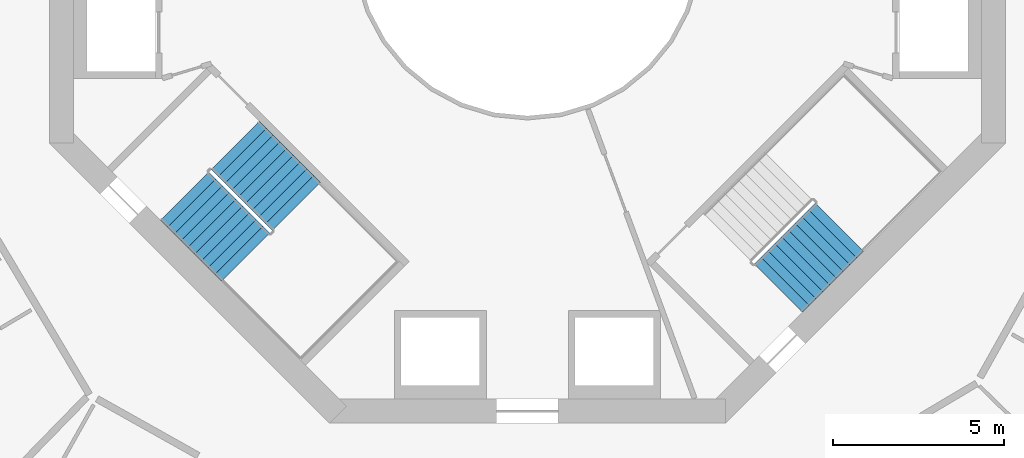
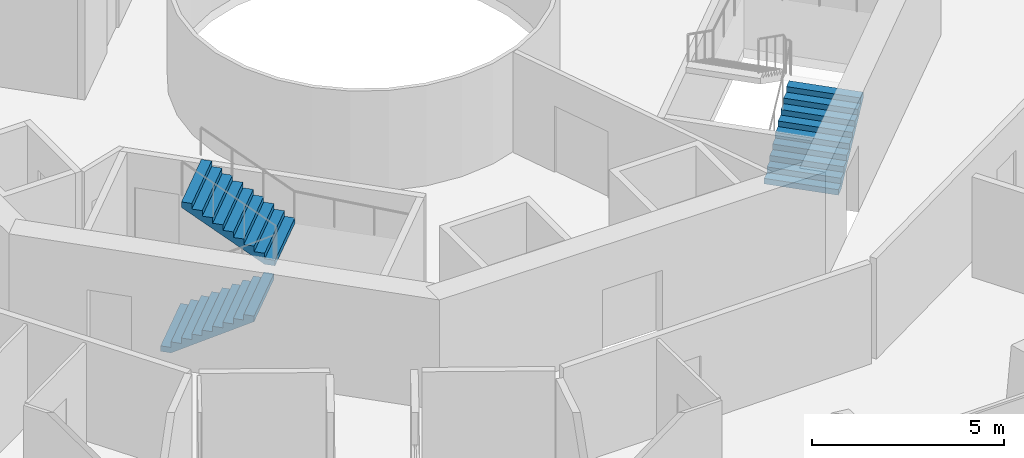
# One storey, part 19 of 21: 3 stair flights, 2 elements without a shape of their own.
"""IFC4 building model written with IfcOpenShell, lengths in metres."""

import ifcopenshell
import ifcopenshell.guid

model = None  # the IFC model being written
_history = None  # IfcOwnerHistory: only IFC2X3 demands one
_inside = {}  # id of a spatial element -> (the spatial element, [elements in it])
_under = {}  # id of a project, library or spatial element -> (it, [spatial elements below it])
_declared = {}  # id of a project -> (the project, [libraries it declares])
_typed = {}  # id of a type object -> (the type object, [elements of that type])
_made_of = {}  # id of a material, layer set ... -> (it, [elements and type objects made of it])


def new_model(schema):
    """Start an empty IFC model of exactly this schema.

    Asked for "IFC4X3", IfcOpenShell would pick the latest addendum, in which some entities
    have other attributes; the version numbers below select the first issue.
    IFC2X3 requires an IfcOwnerHistory on every rooted entity: one is made here for all.
    """
    global model, _history
    if schema == "IFC4X3":
        model = ifcopenshell.file(schema_version=(4, 3, 0, 0))
    else:
        model = ifcopenshell.file(schema=schema)
    _inside.clear()
    _under.clear()
    _declared.clear()
    _typed.clear()
    _made_of.clear()
    _history = None
    if model.schema == "IFC2X3":
        org = make("IfcOrganization", Name="unknown")
        user = make(
            "IfcPersonAndOrganization",
            ThePerson=make("IfcPerson", FamilyName="unknown"),
            TheOrganization=org,
        )
        app = make(
            "IfcApplication",
            ApplicationDeveloper=org,
            Version="unknown",
            ApplicationFullName="unknown",
            ApplicationIdentifier="unknown",
        )
        _history = make(
            "IfcOwnerHistory",
            OwningUser=user,
            OwningApplication=app,
            ChangeAction="ADDED",
            CreationDate=0,
        )
    return model


def make(cls, **values):
    """One entity of the class cls with the attributes given. An attribute that is None is left unset."""
    return model.create_entity(
        cls, **{name: value for name, value in values.items() if value is not None}
    )


def rooted(cls, **values):
    """An entity with a GlobalId (a new one), such as an element, a storey or a relation."""
    return make(cls, GlobalId=ifcopenshell.guid.new(), OwnerHistory=_history, **values)


def si_unit(unit_type, name, prefix=None):
    """IfcSIUnit, for example si_unit("LENGTHUNIT", "METRE", prefix="MILLI")."""
    return make("IfcSIUnit", UnitType=unit_type, Prefix=prefix, Name=name)


def assignment(units):
    """IfcUnitAssignment: the units of a project."""
    return None if units is None else make("IfcUnitAssignment", Units=units)


def point(xyz):
    """IfcCartesianPoint."""
    return None if xyz is None else make("IfcCartesianPoint", Coordinates=xyz)


def direction(xyz):
    """IfcDirection."""
    return None if xyz is None else make("IfcDirection", DirectionRatios=xyz)


def frame(location, z_axis=None, x_axis=None):
    """IfcAxis2Placement3D, a coordinate frame: its origin and axes. An axis left out is left unset."""
    return make(
        "IfcAxis2Placement3D",
        Location=point(location),
        Axis=direction(z_axis),
        RefDirection=direction(x_axis),
    )


def origin():
    """The frame at (0, 0, 0) with its axes left unset."""
    return frame((0.0, 0.0, 0.0))


def place(relative_to, where):
    """IfcLocalPlacement: puts the frame where relative to a parent placement (None: the world)."""
    return make(
        "IfcLocalPlacement", PlacementRelTo=relative_to, RelativePlacement=where
    )


def context(
    kind, dimensions, precision=None, world=None, true_north=None, identifier=None
):
    """IfcGeometricRepresentationContext, for example the 3D "Model" context."""
    return make(
        "IfcGeometricRepresentationContext",
        ContextIdentifier=identifier,
        ContextType=kind,
        CoordinateSpaceDimension=dimensions,
        Precision=precision,
        WorldCoordinateSystem=world,
        TrueNorth=true_north,
    )


def subcontext(parent, identifier, kind, view, scale=None):
    """IfcGeometricRepresentationSubContext, for example "Body" below "Model"."""
    return make(
        "IfcGeometricRepresentationSubContext",
        ContextIdentifier=identifier,
        ContextType=kind,
        ParentContext=parent,
        TargetScale=scale,
        TargetView=view,
    )


def project(units=None, contexts=None):
    """IfcProject with its units and contexts."""
    return rooted(
        "IfcProject",
        Name="project",
        RepresentationContexts=contexts,
        UnitsInContext=assignment(units),
    )


def spatial(cls, under=None, at=None, **own):
    """A site, building, storey or space (cls), placed at a placement, below another one or the project."""
    s = rooted(cls, ObjectPlacement=at, **own)
    if under is not None:
        _under.setdefault(under.id(), (under, []))[1].append(s)
    return s


def point_list(points):
    """IfcCartesianPointList2D or 3D."""
    cls = (
        "IfcCartesianPointList2D" if len(points[0]) == 2 else "IfcCartesianPointList3D"
    )
    return make(cls, CoordList=points)


def triangles(points, corners, closed=None, point_numbers=None):
    """IfcTriangulatedFaceSet: each triangle names its three corners, points numbered from 1."""
    return make(
        "IfcTriangulatedFaceSet",
        Coordinates=point_list(points),
        Closed=closed,
        CoordIndex=corners,
        PnIndex=point_numbers,
    )


def shape(context_of_items, identifier, shape_type, items):
    """IfcShapeRepresentation: the items that make up one representation, for example the "Body"."""
    return make(
        "IfcShapeRepresentation",
        ContextOfItems=context_of_items,
        RepresentationIdentifier=identifier,
        RepresentationType=shape_type,
        Items=items,
    )


def material(Name=None, Category=None):
    """IfcMaterial."""
    return make("IfcMaterial", Name=Name, Category=Category)


def made_of(thing, what):
    """Note that an element or type object is made of a material, layer set ...; save() writes the relation."""
    if what is not None:
        _made_of.setdefault(what.id(), (what, []))[1].append(thing)
    return thing


def type_object(cls, material=None, **own):
    """A type object (cls), such as IfcWallType, which elements share."""
    return made_of(rooted(cls, **own), material)


def element(
    cls,
    number,
    at=None,
    inside=None,
    cuts=None,
    type_object=None,
    material=None,
    context=None,
    identifier="Body",
    shape_type=None,
    held_by="IfcProductDefinitionShape",
    body=None,
    shapes=None,
    **own,
):
    """One element of the class cls, such as IfcWall. Its Tag is "e" and its number.

    at: its placement. inside: the storey or other place that contains it. cuts: it is an
    opening in that element (IfcRelVoidsElement). A single representation is given by context,
    identifier, shape_type and body (its items); several are given by shapes. held_by: the class
    of the entity that holds the representations. save() writes the other relations.
    """
    e = rooted(cls, Tag="e%d" % number, ObjectPlacement=at, **own)
    if body is not None:
        shapes = [shape(context, identifier, shape_type, body)]
    if shapes is not None:
        e.Representation = make(held_by, Representations=shapes)
    if inside is not None:
        _inside.setdefault(inside.id(), (inside, []))[1].append(e)
    if cuts is not None:
        rooted(
            "IfcRelVoidsElement", RelatingBuildingElement=cuts, RelatedOpeningElement=e
        )
    if type_object is not None:
        _typed.setdefault(type_object.id(), (type_object, []))[1].append(e)
    return made_of(e, material)


def aggregate(whole, parts):
    """IfcRelAggregates: a whole, such as a stair, and the parts it consists of."""
    return rooted("IfcRelAggregates", RelatingObject=whole, RelatedObjects=parts)


def save(model, path):
    """Write the relations noted so far, then the file.

    IfcRelAggregates (storeys below a building ...), IfcRelContainedInSpatialStructure (elements
    in a storey), IfcRelDefinesByType, IfcRelAssociatesMaterial and IfcRelDeclares: one each for
    every whole, place, type object, material and project.
    """
    for whole, parts in _under.values():
        aggregate(whole, parts)
    for where, things in _inside.values():
        rooted(
            "IfcRelContainedInSpatialStructure",
            RelatedElements=things,
            RelatingStructure=where,
        )
    for kind, things in _typed.values():
        rooted("IfcRelDefinesByType", RelatedObjects=things, RelatingType=kind)
    for what, things in _made_of.values():
        rooted("IfcRelAssociatesMaterial", RelatedObjects=things, RelatingMaterial=what)
    for by, libraries in _declared.values():
        rooted("IfcRelDeclares", RelatingContext=by, RelatedDefinitions=libraries)
    model.write(path)


model = new_model("IFC4")

# Units and contexts
model_context = context("Model", 3, precision=1e-05, world=origin(), true_north=direction((0.0, 1.0)))
body_context = subcontext(model_context, "Body", "Model", "MODEL_VIEW")
ifc_project = project(units=[si_unit("LENGTHUNIT", "METRE"), si_unit("AREAUNIT", "SQUARE_METRE"), si_unit("VOLUMEUNIT", "CUBIC_METRE"), si_unit("PLANEANGLEUNIT", "RADIAN"), si_unit("MASSUNIT", "GRAM", prefix="KILO")], contexts=[model_context])

# Site, building, storey
site_placement = place(None, origin())
site = spatial("IfcSite", under=ifc_project, at=site_placement, CompositionType="ELEMENT")
building_placement = place(site_placement, origin())
building = spatial("IfcBuilding", under=site, at=building_placement, Name="Verdalira Terraces Hotel", CompositionType="ELEMENT")
storey_placement = place(building_placement, frame((0.0, 0.0, 158.5)))
storey = spatial("IfcBuildingStorey", under=building, at=storey_placement, Name="L38", CompositionType="ELEMENT", Elevation=158.5)

# Stair, stair flights
ifc_material_1 = material(Name="Concrete C40", Category="concrete")
stair_type = type_object("IfcStairType", Name="Core stair 20 risers 2000 mm wide", PredefinedType="HALF_TURN_STAIR", material=ifc_material_1)
stair_1_placement = place(storey_placement, origin())
stair_1 = element("IfcStair", 1, at=stair_1_placement, inside=storey, type_object=stair_type, Name="L38 Exit stair ST2", PredefinedType="HALF_TURN_STAIR")
ifc_material_2 = material(Name="Concrete C40", Category="concrete")
stair_flight_type = type_object("IfcStairFlightType", Name="Core stair flight 20 risers 2000 mm wide", PredefinedType="STRAIGHT", material=ifc_material_2)
stair_flight_1_placement = place(storey_placement, frame((-10.041016, -7.354004, 0.0), z_axis=(0.0, 0.0, 1.0), x_axis=(0.707106781, -0.707106781, 0.0)))
stair_flight_1 = element("IfcStairFlight", 2, at=stair_flight_1_placement, type_object=stair_flight_type, Name="ST2 flight 1", NumberOfRisers=10, NumberOfTreads=9, PredefinedType="STRAIGHT", RiserHeight=0.175, TreadLength=0.28, context=body_context, shape_type="Tessellation", body=[
    triangles([(0.0, 1.0, 0.0), (0.282715, 1.0, 0.0), (2.52002, 1.0, 1.398193), (0.0, -1.0, 0.0), (0.282715, -1.0, 0.0), (2.52002, -1.0, 1.398193), (2.52002, 1.0, 1.574951), (2.23999, 1.0, 1.574951), (2.52002, -1.0, 1.574951), (2.23999, -1.0, 1.574951), (2.23999, 1.0, 1.399902), (2.23999, -1.0, 1.399902), (1.959961, 1.0, 1.399902), (1.959961, -1.0, 1.399902), (1.959961, 1.0, 1.225098), (1.959961, -1.0, 1.225098), (1.679932, 1.0, 1.225098), (1.679932, 1.0, 1.050049), (1.679932, -1.0, 1.225098), (1.679932, -1.0, 1.050049), (1.399902, 1.0, 1.050049), (1.399902, 1.0, 0.875), (1.399902, -1.0, 1.050049), (1.399902, -1.0, 0.875), (1.120117, 1.0, 0.875), (1.120117, 1.0, 0.699951), (1.120117, -1.0, 0.875), (1.120117, -1.0, 0.699951), (0.840088, 1.0, 0.699951), (0.840088, 1.0, 0.524902), (0.840088, -1.0, 0.699951), (0.840088, -1.0, 0.524902), (0.560059, 1.0, 0.524902), (0.560059, 1.0, 0.350098), (0.560059, -1.0, 0.524902), (0.560059, -1.0, 0.350098), (0.280029, 1.0, 0.350098), (0.280029, 1.0, 0.175049), (0.280029, -1.0, 0.350098), (0.280029, -1.0, 0.175049), (0.0, 1.0, 0.175049), (0.0, -1.0, 0.175049), (0.0, -0.9375, 0.0), (0.0, -0.9375, 0.175049), (0.0, -0.875, 0.0), (0.0, -0.875, 0.175049), (0.0, -0.8125, 0.0), (0.0, -0.8125, 0.175049), (0.0, -0.75, 0.0), (0.0, -0.75, 0.175049), (0.0, -0.6875, 0.0), (0.0, -0.6875, 0.175049), (0.0, -0.625, 0.0), (0.0, -0.625, 0.175049), (0.0, -0.5625, 0.0), (0.0, -0.5625, 0.175049), (0.0, -0.5, 0.0), (0.0, -0.5, 0.175049), (0.0, -0.4375, 0.0), (0.0, -0.4375, 0.175049), (0.0, -0.375, 0.0), (0.0, -0.375, 0.175049), (0.0, -0.3125, 0.0), (0.0, -0.3125, 0.175049), (0.0, -0.25, 0.0), (0.0, -0.25, 0.175049), (0.0, -0.1875, 0.0), (0.0, -0.1875, 0.175049), (0.0, -0.125, 0.0), (0.0, -0.125, 0.175049), (0.0, -0.0625, 0.0), (0.0, -0.0625, 0.175049), (0.0, 0.0, 0.0), (0.0, 0.0, 0.175049), (0.0, 0.0625, 0.0), (0.0, 0.0625, 0.175049), (0.0, 0.125, 0.0), (0.0, 0.125, 0.175049), (0.0, 0.1875, 0.0), (0.0, 0.1875, 0.175049), (0.0, 0.25, 0.0), (0.0, 0.25, 0.175049), (0.0, 0.3125, 0.0), (0.0, 0.3125, 0.175049), (0.0, 0.375, 0.0), (0.0, 0.375, 0.175049), (0.0, 0.4375, 0.0), (0.0, 0.4375, 0.175049), (0.0, 0.5, 0.0), (0.0, 0.5, 0.175049), (0.0, 0.5625, 0.0), (0.0, 0.5625, 0.175049), (0.0, 0.625, 0.0), (0.0, 0.625, 0.175049), (0.0, 0.6875, 0.0), (0.0, 0.6875, 0.175049), (0.0, 0.75, 0.0), (0.0, 0.75, 0.175049), (0.0, 0.8125, 0.0), (0.0, 0.8125, 0.175049), (0.0, 0.875, 0.0), (0.0, 0.875, 0.175049), (0.0, 0.9375, 0.0), (0.0, 0.9375, 0.175049), (2.52002, -0.9375, 1.574951), (2.52002, -0.875, 1.574951), (2.52002, -0.8125, 1.574951), (2.52002, -0.75, 1.574951), (2.52002, -0.6875, 1.574951), (2.52002, -0.625, 1.574951), (2.52002, -0.5625, 1.574951), (2.52002, -0.5, 1.574951), (2.52002, -0.4375, 1.574951), (2.52002, -0.375, 1.574951), (2.52002, -0.3125, 1.574951), (2.52002, -0.25, 1.574951), (2.52002, -0.1875, 1.574951), (2.52002, -0.125, 1.574951), (2.52002, -0.0625, 1.574951), (2.52002, 0.0, 1.574951), (2.52002, 0.0625, 1.574951), (2.52002, 0.125, 1.574951), (2.52002, 0.1875, 1.574951), (2.52002, 0.25, 1.574951), (2.52002, 0.3125, 1.574951), (2.52002, 0.375, 1.574951), (2.52002, 0.4375, 1.574951), (2.52002, 0.5, 1.574951), (2.52002, 0.5625, 1.574951), (2.52002, 0.625, 1.574951), (2.52002, 0.6875, 1.574951), (2.52002, 0.75, 1.574951), (2.52002, 0.8125, 1.574951), (2.52002, 0.875, 1.574951), (2.52002, 0.9375, 1.574951), (2.52002, -0.9375, 1.398193), (2.52002, -0.875, 1.398193), (2.52002, -0.8125, 1.398193), (2.52002, -0.75, 1.398193), (2.52002, -0.6875, 1.398193), (2.52002, -0.625, 1.398193), (2.52002, -0.5625, 1.398193), (2.52002, -0.5, 1.398193), (2.52002, -0.4375, 1.398193), (2.52002, -0.375, 1.398193), (2.52002, -0.3125, 1.398193), (2.52002, -0.25, 1.398193), (2.52002, -0.1875, 1.398193), (2.52002, -0.125, 1.398193), (2.52002, -0.0625, 1.398193), (2.52002, 0.0, 1.398193), (2.52002, 0.0625, 1.398193), (2.52002, 0.125, 1.398193), (2.52002, 0.1875, 1.398193), (2.52002, 0.25, 1.398193), (2.52002, 0.3125, 1.398193), (2.52002, 0.375, 1.398193), (2.52002, 0.4375, 1.398193), (2.52002, 0.5, 1.398193), (2.52002, 0.5625, 1.398193), (2.52002, 0.625, 1.398193), (2.52002, 0.6875, 1.398193), (2.52002, 0.75, 1.398193), (2.52002, 0.8125, 1.398193), (2.52002, 0.875, 1.398193), (2.52002, 0.9375, 1.398193)], [[1, 3, 2], [4, 5, 6], [3, 8, 7], [6, 9, 10], [3, 11, 8], [6, 10, 12], [3, 13, 11], [6, 12, 14], [3, 15, 13], [6, 14, 16], [15, 18, 17], [16, 19, 20], [3, 18, 15], [6, 16, 20], [18, 22, 21], [20, 23, 24], [3, 22, 18], [6, 20, 24], [22, 26, 25], [24, 27, 28], [3, 26, 22], [6, 24, 28], [26, 30, 29], [28, 31, 32], [3, 30, 26], [6, 28, 32], [1, 30, 3], [4, 6, 32], [30, 34, 33], [32, 35, 36], [34, 38, 37], [36, 39, 40], [30, 38, 34], [32, 36, 40], [1, 38, 30], [4, 32, 40], [38, 1, 41], [40, 42, 4], [4, 44, 43], [4, 42, 44], [43, 46, 45], [43, 44, 46], [45, 48, 47], [45, 46, 48], [47, 50, 49], [47, 48, 50], [49, 52, 51], [49, 50, 52], [51, 54, 53], [51, 52, 54], [53, 56, 55], [53, 54, 56], [55, 58, 57], [55, 56, 58], [57, 60, 59], [57, 58, 60], [59, 62, 61], [59, 60, 62], [61, 64, 63], [61, 62, 64], [63, 66, 65], [63, 64, 66], [65, 68, 67], [65, 66, 68], [67, 70, 69], [67, 68, 70], [69, 72, 71], [69, 70, 72], [71, 74, 73], [71, 72, 74], [73, 76, 75], [73, 74, 76], [75, 78, 77], [75, 76, 78], [77, 80, 79], [77, 78, 80], [79, 82, 81], [79, 80, 82], [81, 84, 83], [81, 82, 84], [83, 86, 85], [83, 84, 86], [85, 88, 87], [85, 86, 88], [87, 90, 89], [87, 88, 90], [89, 92, 91], [89, 90, 92], [91, 94, 93], [91, 92, 94], [93, 96, 95], [93, 94, 96], [95, 98, 97], [95, 96, 98], [97, 100, 99], [97, 98, 100], [99, 102, 101], [99, 100, 102], [101, 104, 103], [101, 102, 104], [103, 41, 1], [103, 104, 41], [42, 40, 44], [44, 40, 46], [46, 40, 48], [48, 40, 50], [50, 40, 52], [52, 40, 54], [54, 40, 56], [56, 40, 58], [58, 40, 60], [60, 40, 62], [62, 40, 64], [64, 40, 66], [66, 40, 68], [68, 40, 70], [70, 40, 72], [72, 40, 74], [74, 40, 76], [76, 40, 78], [78, 40, 80], [80, 40, 82], [82, 40, 84], [84, 40, 86], [86, 40, 88], [88, 40, 90], [90, 40, 92], [92, 40, 94], [94, 40, 96], [96, 40, 98], [98, 40, 100], [100, 40, 102], [102, 40, 104], [104, 40, 41], [41, 40, 38], [40, 37, 38], [40, 39, 37], [39, 34, 37], [39, 36, 34], [36, 33, 34], [36, 35, 33], [35, 30, 33], [35, 32, 30], [32, 29, 30], [32, 31, 29], [31, 26, 29], [31, 28, 26], [28, 25, 26], [28, 27, 25], [27, 22, 25], [27, 24, 22], [24, 21, 22], [24, 23, 21], [23, 18, 21], [23, 20, 18], [20, 17, 18], [20, 19, 17], [19, 15, 17], [19, 16, 15], [16, 13, 15], [16, 14, 13], [14, 11, 13], [14, 12, 11], [12, 8, 11], [12, 10, 8], [9, 105, 10], [105, 106, 10], [106, 107, 10], [107, 108, 10], [108, 109, 10], [109, 110, 10], [110, 111, 10], [111, 112, 10], [112, 113, 10], [113, 114, 10], [114, 115, 10], [115, 116, 10], [116, 117, 10], [117, 118, 10], [118, 119, 10], [119, 120, 10], [120, 121, 10], [121, 122, 10], [122, 123, 10], [123, 124, 10], [124, 125, 10], [125, 126, 10], [126, 127, 10], [127, 128, 10], [128, 129, 10], [129, 130, 10], [130, 131, 10], [131, 132, 10], [132, 133, 10], [133, 134, 10], [134, 135, 10], [135, 7, 10], [7, 8, 10], [9, 136, 105], [9, 6, 136], [105, 137, 106], [105, 136, 137], [106, 138, 107], [106, 137, 138], [107, 139, 108], [107, 138, 139], [108, 140, 109], [108, 139, 140], [109, 141, 110], [109, 140, 141], [110, 142, 111], [110, 141, 142], [111, 143, 112], [111, 142, 143], [112, 144, 113], [112, 143, 144], [113, 145, 114], [113, 144, 145], [114, 146, 115], [114, 145, 146], [115, 147, 116], [115, 146, 147], [116, 148, 117], [116, 147, 148], [117, 149, 118], [117, 148, 149], [118, 150, 119], [118, 149, 150], [119, 151, 120], [119, 150, 151], [120, 152, 121], [120, 151, 152], [121, 153, 122], [121, 152, 153], [122, 154, 123], [122, 153, 154], [123, 155, 124], [123, 154, 155], [124, 156, 125], [124, 155, 156], [125, 157, 126], [125, 156, 157], [126, 158, 127], [126, 157, 158], [127, 159, 128], [127, 158, 159], [128, 160, 129], [128, 159, 160], [129, 161, 130], [129, 160, 161], [130, 162, 131], [130, 161, 162], [131, 163, 132], [131, 162, 163], [132, 164, 133], [132, 163, 164], [133, 165, 134], [133, 164, 165], [134, 166, 135], [134, 165, 166], [135, 3, 7], [135, 166, 3], [6, 5, 136], [136, 5, 137], [137, 5, 138], [138, 5, 139], [139, 5, 140], [140, 5, 141], [141, 5, 142], [142, 5, 143], [143, 5, 144], [144, 5, 145], [145, 5, 146], [146, 5, 147], [147, 5, 148], [148, 5, 149], [149, 5, 150], [150, 5, 151], [151, 5, 152], [152, 5, 153], [153, 5, 154], [154, 5, 155], [155, 5, 156], [156, 5, 157], [157, 5, 158], [158, 5, 159], [159, 5, 160], [160, 5, 161], [161, 5, 162], [162, 5, 163], [163, 5, 164], [164, 5, 165], [165, 5, 166], [166, 5, 3], [3, 5, 2], [4, 43, 5], [43, 45, 5], [45, 47, 5], [47, 49, 5], [49, 51, 5], [51, 53, 5], [53, 55, 5], [55, 57, 5], [57, 59, 5], [59, 61, 5], [61, 63, 5], [63, 65, 5], [65, 67, 5], [67, 69, 5], [69, 71, 5], [71, 73, 5], [73, 75, 5], [75, 77, 5], [77, 79, 5], [79, 81, 5], [81, 83, 5], [83, 85, 5], [85, 87, 5], [87, 89, 5], [89, 91, 5], [91, 93, 5], [93, 95, 5], [95, 97, 5], [97, 99, 5], [99, 101, 5], [101, 103, 5], [103, 1, 5], [1, 2, 5]], closed=True),
])
stair_flight_2_placement = place(storey_placement, frame((-6.77417, -7.650879, 1.75), z_axis=(0.0, 0.0, 1.0), x_axis=(-0.707106781, 0.707106781, 0.0)))
stair_flight_2 = element("IfcStairFlight", 3, at=stair_flight_2_placement, type_object=stair_flight_type, Name="ST2 flight 2", NumberOfRisers=10, NumberOfTreads=9, PredefinedType="STRAIGHT", RiserHeight=0.175, TreadLength=0.28, context=body_context, shape_type="Tessellation", body=[
    triangles([(0.0, 1.0, 0.0), (0.282715, 1.0, 0.0), (2.52002, 1.0, 1.398193), (0.0, -1.0, 0.0), (0.282715, -1.0, 0.0), (2.52002, -1.0, 1.398193), (2.52002, 1.0, 1.574951), (2.23999, 1.0, 1.574951), (2.52002, -1.0, 1.574951), (2.23999, -1.0, 1.574951), (2.23999, 1.0, 1.399902), (2.23999, -1.0, 1.399902), (1.959961, 1.0, 1.399902), (1.959961, -1.0, 1.399902), (1.959961, 1.0, 1.225098), (1.959961, -1.0, 1.225098), (1.679932, 1.0, 1.225098), (1.679932, 1.0, 1.050049), (1.679932, -1.0, 1.225098), (1.679932, -1.0, 1.050049), (1.399902, 1.0, 1.050049), (1.399902, 1.0, 0.875), (1.399902, -1.0, 1.050049), (1.399902, -1.0, 0.875), (1.120117, 1.0, 0.875), (1.120117, 1.0, 0.699951), (1.120117, -1.0, 0.875), (1.120117, -1.0, 0.699951), (0.840088, 1.0, 0.699951), (0.840088, 1.0, 0.524902), (0.840088, -1.0, 0.699951), (0.840088, -1.0, 0.524902), (0.560059, 1.0, 0.524902), (0.560059, 1.0, 0.350098), (0.560059, -1.0, 0.524902), (0.560059, -1.0, 0.350098), (0.280029, 1.0, 0.350098), (0.280029, 1.0, 0.175049), (0.280029, -1.0, 0.350098), (0.280029, -1.0, 0.175049), (0.0, 1.0, 0.175049), (0.0, -1.0, 0.175049), (0.0, -0.9375, 0.0), (0.0, -0.9375, 0.175049), (0.0, -0.875, 0.0), (0.0, -0.875, 0.175049), (0.0, -0.8125, 0.0), (0.0, -0.8125, 0.175049), (0.0, -0.75, 0.0), (0.0, -0.75, 0.175049), (0.0, -0.6875, 0.0), (0.0, -0.6875, 0.175049), (0.0, -0.625, 0.0), (0.0, -0.625, 0.175049), (0.0, -0.5625, 0.0), (0.0, -0.5625, 0.175049), (0.0, -0.5, 0.0), (0.0, -0.5, 0.175049), (0.0, -0.4375, 0.0), (0.0, -0.4375, 0.175049), (0.0, -0.375, 0.0), (0.0, -0.375, 0.175049), (0.0, -0.3125, 0.0), (0.0, -0.3125, 0.175049), (0.0, -0.25, 0.0), (0.0, -0.25, 0.175049), (0.0, -0.1875, 0.0), (0.0, -0.1875, 0.175049), (0.0, -0.125, 0.0), (0.0, -0.125, 0.175049), (0.0, -0.0625, 0.0), (0.0, -0.0625, 0.175049), (0.0, 0.0, 0.0), (0.0, 0.0, 0.175049), (0.0, 0.0625, 0.0), (0.0, 0.0625, 0.175049), (0.0, 0.125, 0.0), (0.0, 0.125, 0.175049), (0.0, 0.1875, 0.0), (0.0, 0.1875, 0.175049), (0.0, 0.25, 0.0), (0.0, 0.25, 0.175049), (0.0, 0.3125, 0.0), (0.0, 0.3125, 0.175049), (0.0, 0.375, 0.0), (0.0, 0.375, 0.175049), (0.0, 0.4375, 0.0), (0.0, 0.4375, 0.175049), (0.0, 0.5, 0.0), (0.0, 0.5, 0.175049), (0.0, 0.5625, 0.0), (0.0, 0.5625, 0.175049), (0.0, 0.625, 0.0), (0.0, 0.625, 0.175049), (0.0, 0.6875, 0.0), (0.0, 0.6875, 0.175049), (0.0, 0.75, 0.0), (0.0, 0.75, 0.175049), (0.0, 0.8125, 0.0), (0.0, 0.8125, 0.175049), (0.0, 0.875, 0.0), (0.0, 0.875, 0.175049), (0.0, 0.9375, 0.0), (0.0, 0.9375, 0.175049), (2.52002, -0.9375, 1.574951), (2.52002, -0.875, 1.574951), (2.52002, -0.8125, 1.574951), (2.52002, -0.75, 1.574951), (2.52002, -0.6875, 1.574951), (2.52002, -0.625, 1.574951), (2.52002, -0.5625, 1.574951), (2.52002, -0.5, 1.574951), (2.52002, -0.4375, 1.574951), (2.52002, -0.375, 1.574951), (2.52002, -0.3125, 1.574951), (2.52002, -0.25, 1.574951), (2.52002, -0.1875, 1.574951), (2.52002, -0.125, 1.574951), (2.52002, -0.0625, 1.574951), (2.52002, 0.0, 1.574951), (2.52002, 0.0625, 1.574951), (2.52002, 0.125, 1.574951), (2.52002, 0.1875, 1.574951), (2.52002, 0.25, 1.574951), (2.52002, 0.3125, 1.574951), (2.52002, 0.375, 1.574951), (2.52002, 0.4375, 1.574951), (2.52002, 0.5, 1.574951), (2.52002, 0.5625, 1.574951), (2.52002, 0.625, 1.574951), (2.52002, 0.6875, 1.574951), (2.52002, 0.75, 1.574951), (2.52002, 0.8125, 1.574951), (2.52002, 0.875, 1.574951), (2.52002, 0.9375, 1.574951), (2.52002, -0.9375, 1.398193), (2.52002, -0.875, 1.398193), (2.52002, -0.8125, 1.398193), (2.52002, -0.75, 1.398193), (2.52002, -0.6875, 1.398193), (2.52002, -0.625, 1.398193), (2.52002, -0.5625, 1.398193), (2.52002, -0.5, 1.398193), (2.52002, -0.4375, 1.398193), (2.52002, -0.375, 1.398193), (2.52002, -0.3125, 1.398193), (2.52002, -0.25, 1.398193), (2.52002, -0.1875, 1.398193), (2.52002, -0.125, 1.398193), (2.52002, -0.0625, 1.398193), (2.52002, 0.0, 1.398193), (2.52002, 0.0625, 1.398193), (2.52002, 0.125, 1.398193), (2.52002, 0.1875, 1.398193), (2.52002, 0.25, 1.398193), (2.52002, 0.3125, 1.398193), (2.52002, 0.375, 1.398193), (2.52002, 0.4375, 1.398193), (2.52002, 0.5, 1.398193), (2.52002, 0.5625, 1.398193), (2.52002, 0.625, 1.398193), (2.52002, 0.6875, 1.398193), (2.52002, 0.75, 1.398193), (2.52002, 0.8125, 1.398193), (2.52002, 0.875, 1.398193), (2.52002, 0.9375, 1.398193)], [[1, 3, 2], [4, 5, 6], [3, 8, 7], [6, 9, 10], [3, 11, 8], [6, 10, 12], [3, 13, 11], [6, 12, 14], [3, 15, 13], [6, 14, 16], [15, 18, 17], [16, 19, 20], [3, 18, 15], [6, 16, 20], [18, 22, 21], [20, 23, 24], [3, 22, 18], [6, 20, 24], [22, 26, 25], [24, 27, 28], [3, 26, 22], [6, 24, 28], [26, 30, 29], [28, 31, 32], [3, 30, 26], [6, 28, 32], [1, 30, 3], [4, 6, 32], [30, 34, 33], [32, 35, 36], [34, 38, 37], [36, 39, 40], [30, 38, 34], [32, 36, 40], [1, 38, 30], [4, 32, 40], [38, 1, 41], [40, 42, 4], [4, 44, 43], [4, 42, 44], [43, 46, 45], [43, 44, 46], [45, 48, 47], [45, 46, 48], [47, 50, 49], [47, 48, 50], [49, 52, 51], [49, 50, 52], [51, 54, 53], [51, 52, 54], [53, 56, 55], [53, 54, 56], [55, 58, 57], [55, 56, 58], [57, 60, 59], [57, 58, 60], [59, 62, 61], [59, 60, 62], [61, 64, 63], [61, 62, 64], [63, 66, 65], [63, 64, 66], [65, 68, 67], [65, 66, 68], [67, 70, 69], [67, 68, 70], [69, 72, 71], [69, 70, 72], [71, 74, 73], [71, 72, 74], [73, 76, 75], [73, 74, 76], [75, 78, 77], [75, 76, 78], [77, 80, 79], [77, 78, 80], [79, 82, 81], [79, 80, 82], [81, 84, 83], [81, 82, 84], [83, 86, 85], [83, 84, 86], [85, 88, 87], [85, 86, 88], [87, 90, 89], [87, 88, 90], [89, 92, 91], [89, 90, 92], [91, 94, 93], [91, 92, 94], [93, 96, 95], [93, 94, 96], [95, 98, 97], [95, 96, 98], [97, 100, 99], [97, 98, 100], [99, 102, 101], [99, 100, 102], [101, 104, 103], [101, 102, 104], [103, 41, 1], [103, 104, 41], [42, 40, 44], [44, 40, 46], [46, 40, 48], [48, 40, 50], [50, 40, 52], [52, 40, 54], [54, 40, 56], [56, 40, 58], [58, 40, 60], [60, 40, 62], [62, 40, 64], [64, 40, 66], [66, 40, 68], [68, 40, 70], [70, 40, 72], [72, 40, 74], [74, 40, 76], [76, 40, 78], [78, 40, 80], [80, 40, 82], [82, 40, 84], [84, 40, 86], [86, 40, 88], [88, 40, 90], [90, 40, 92], [92, 40, 94], [94, 40, 96], [96, 40, 98], [98, 40, 100], [100, 40, 102], [102, 40, 104], [104, 40, 41], [41, 40, 38], [40, 37, 38], [40, 39, 37], [39, 34, 37], [39, 36, 34], [36, 33, 34], [36, 35, 33], [35, 30, 33], [35, 32, 30], [32, 29, 30], [32, 31, 29], [31, 26, 29], [31, 28, 26], [28, 25, 26], [28, 27, 25], [27, 22, 25], [27, 24, 22], [24, 21, 22], [24, 23, 21], [23, 18, 21], [23, 20, 18], [20, 17, 18], [20, 19, 17], [19, 15, 17], [19, 16, 15], [16, 13, 15], [16, 14, 13], [14, 11, 13], [14, 12, 11], [12, 8, 11], [12, 10, 8], [9, 105, 10], [105, 106, 10], [106, 107, 10], [107, 108, 10], [108, 109, 10], [109, 110, 10], [110, 111, 10], [111, 112, 10], [112, 113, 10], [113, 114, 10], [114, 115, 10], [115, 116, 10], [116, 117, 10], [117, 118, 10], [118, 119, 10], [119, 120, 10], [120, 121, 10], [121, 122, 10], [122, 123, 10], [123, 124, 10], [124, 125, 10], [125, 126, 10], [126, 127, 10], [127, 128, 10], [128, 129, 10], [129, 130, 10], [130, 131, 10], [131, 132, 10], [132, 133, 10], [133, 134, 10], [134, 135, 10], [135, 7, 10], [7, 8, 10], [9, 136, 105], [9, 6, 136], [105, 137, 106], [105, 136, 137], [106, 138, 107], [106, 137, 138], [107, 139, 108], [107, 138, 139], [108, 140, 109], [108, 139, 140], [109, 141, 110], [109, 140, 141], [110, 142, 111], [110, 141, 142], [111, 143, 112], [111, 142, 143], [112, 144, 113], [112, 143, 144], [113, 145, 114], [113, 144, 145], [114, 146, 115], [114, 145, 146], [115, 147, 116], [115, 146, 147], [116, 148, 117], [116, 147, 148], [117, 149, 118], [117, 148, 149], [118, 150, 119], [118, 149, 150], [119, 151, 120], [119, 150, 151], [120, 152, 121], [120, 151, 152], [121, 153, 122], [121, 152, 153], [122, 154, 123], [122, 153, 154], [123, 155, 124], [123, 154, 155], [124, 156, 125], [124, 155, 156], [125, 157, 126], [125, 156, 157], [126, 158, 127], [126, 157, 158], [127, 159, 128], [127, 158, 159], [128, 160, 129], [128, 159, 160], [129, 161, 130], [129, 160, 161], [130, 162, 131], [130, 161, 162], [131, 163, 132], [131, 162, 163], [132, 164, 133], [132, 163, 164], [133, 165, 134], [133, 164, 165], [134, 166, 135], [134, 165, 166], [135, 3, 7], [135, 166, 3], [6, 5, 136], [136, 5, 137], [137, 5, 138], [138, 5, 139], [139, 5, 140], [140, 5, 141], [141, 5, 142], [142, 5, 143], [143, 5, 144], [144, 5, 145], [145, 5, 146], [146, 5, 147], [147, 5, 148], [148, 5, 149], [149, 5, 150], [150, 5, 151], [151, 5, 152], [152, 5, 153], [153, 5, 154], [154, 5, 155], [155, 5, 156], [156, 5, 157], [157, 5, 158], [158, 5, 159], [159, 5, 160], [160, 5, 161], [161, 5, 162], [162, 5, 163], [163, 5, 164], [164, 5, 165], [165, 5, 166], [166, 5, 3], [3, 5, 2], [4, 43, 5], [43, 45, 5], [45, 47, 5], [47, 49, 5], [49, 51, 5], [51, 53, 5], [53, 55, 5], [55, 57, 5], [57, 59, 5], [59, 61, 5], [61, 63, 5], [63, 65, 5], [65, 67, 5], [67, 69, 5], [69, 71, 5], [71, 73, 5], [73, 75, 5], [75, 77, 5], [77, 79, 5], [79, 81, 5], [81, 83, 5], [83, 85, 5], [85, 87, 5], [87, 89, 5], [89, 91, 5], [91, 93, 5], [93, 95, 5], [95, 97, 5], [97, 99, 5], [99, 101, 5], [101, 103, 5], [103, 1, 5], [1, 2, 5]], closed=True),
])
aggregate(stair_1, [stair_flight_1, stair_flight_2])

# Stair, stair flight
stair_2_placement = place(storey_placement, origin())
stair_2 = element("IfcStair", 4, at=stair_2_placement, inside=storey, type_object=stair_type, Name="L38 Exit stair ST3", PredefinedType="HALF_TURN_STAIR")
stair_flight_3_placement = place(storey_placement, frame((7.354004, -10.041016, 0.0), z_axis=(0.0, 0.0, 1.0), x_axis=(0.707106781, 0.707106781, 0.0)))
stair_flight_3 = element("IfcStairFlight", 5, at=stair_flight_3_placement, type_object=stair_flight_type, Name="ST3 flight 1", NumberOfRisers=10, NumberOfTreads=9, PredefinedType="STRAIGHT", RiserHeight=0.175, TreadLength=0.28, context=body_context, shape_type="Tessellation", body=[
    triangles([(0.0, 1.0, 0.0), (0.282715, 1.0, 0.0), (2.52002, 1.0, 1.398193), (0.0, -1.0, 0.0), (0.282715, -1.0, 0.0), (2.52002, -1.0, 1.398193), (2.52002, 1.0, 1.574951), (2.23999, 1.0, 1.574951), (2.52002, -1.0, 1.574951), (2.23999, -1.0, 1.574951), (2.23999, 1.0, 1.399902), (2.23999, -1.0, 1.399902), (1.959961, 1.0, 1.399902), (1.959961, -1.0, 1.399902), (1.959961, 1.0, 1.225098), (1.959961, -1.0, 1.225098), (1.679932, 1.0, 1.225098), (1.679932, 1.0, 1.050049), (1.679932, -1.0, 1.225098), (1.679932, -1.0, 1.050049), (1.399902, 1.0, 1.050049), (1.399902, 1.0, 0.875), (1.399902, -1.0, 1.050049), (1.399902, -1.0, 0.875), (1.120117, 1.0, 0.875), (1.120117, 1.0, 0.699951), (1.120117, -1.0, 0.875), (1.120117, -1.0, 0.699951), (0.840088, 1.0, 0.699951), (0.840088, 1.0, 0.524902), (0.840088, -1.0, 0.699951), (0.840088, -1.0, 0.524902), (0.560059, 1.0, 0.524902), (0.560059, 1.0, 0.350098), (0.560059, -1.0, 0.524902), (0.560059, -1.0, 0.350098), (0.280029, 1.0, 0.350098), (0.280029, 1.0, 0.175049), (0.280029, -1.0, 0.350098), (0.280029, -1.0, 0.175049), (0.0, 1.0, 0.175049), (0.0, -1.0, 0.175049), (0.0, -0.9375, 0.0), (0.0, -0.9375, 0.175049), (0.0, -0.875, 0.0), (0.0, -0.875, 0.175049), (0.0, -0.8125, 0.0), (0.0, -0.8125, 0.175049), (0.0, -0.75, 0.0), (0.0, -0.75, 0.175049), (0.0, -0.6875, 0.0), (0.0, -0.6875, 0.175049), (0.0, -0.625, 0.0), (0.0, -0.625, 0.175049), (0.0, -0.5625, 0.0), (0.0, -0.5625, 0.175049), (0.0, -0.5, 0.0), (0.0, -0.5, 0.175049), (0.0, -0.4375, 0.0), (0.0, -0.4375, 0.175049), (0.0, -0.375, 0.0), (0.0, -0.375, 0.175049), (0.0, -0.3125, 0.0), (0.0, -0.3125, 0.175049), (0.0, -0.25, 0.0), (0.0, -0.25, 0.175049), (0.0, -0.1875, 0.0), (0.0, -0.1875, 0.175049), (0.0, -0.125, 0.0), (0.0, -0.125, 0.175049), (0.0, -0.0625, 0.0), (0.0, -0.0625, 0.175049), (0.0, 0.0, 0.0), (0.0, 0.0, 0.175049), (0.0, 0.0625, 0.0), (0.0, 0.0625, 0.175049), (0.0, 0.125, 0.0), (0.0, 0.125, 0.175049), (0.0, 0.1875, 0.0), (0.0, 0.1875, 0.175049), (0.0, 0.25, 0.0), (0.0, 0.25, 0.175049), (0.0, 0.3125, 0.0), (0.0, 0.3125, 0.175049), (0.0, 0.375, 0.0), (0.0, 0.375, 0.175049), (0.0, 0.4375, 0.0), (0.0, 0.4375, 0.175049), (0.0, 0.5, 0.0), (0.0, 0.5, 0.175049), (0.0, 0.5625, 0.0), (0.0, 0.5625, 0.175049), (0.0, 0.625, 0.0), (0.0, 0.625, 0.175049), (0.0, 0.6875, 0.0), (0.0, 0.6875, 0.175049), (0.0, 0.75, 0.0), (0.0, 0.75, 0.175049), (0.0, 0.8125, 0.0), (0.0, 0.8125, 0.175049), (0.0, 0.875, 0.0), (0.0, 0.875, 0.175049), (0.0, 0.9375, 0.0), (0.0, 0.9375, 0.175049), (2.52002, -0.9375, 1.574951), (2.52002, -0.875, 1.574951), (2.52002, -0.8125, 1.574951), (2.52002, -0.75, 1.574951), (2.52002, -0.6875, 1.574951), (2.52002, -0.625, 1.574951), (2.52002, -0.5625, 1.574951), (2.52002, -0.5, 1.574951), (2.52002, -0.4375, 1.574951), (2.52002, -0.375, 1.574951), (2.52002, -0.3125, 1.574951), (2.52002, -0.25, 1.574951), (2.52002, -0.1875, 1.574951), (2.52002, -0.125, 1.574951), (2.52002, -0.0625, 1.574951), (2.52002, 0.0, 1.574951), (2.52002, 0.0625, 1.574951), (2.52002, 0.125, 1.574951), (2.52002, 0.1875, 1.574951), (2.52002, 0.25, 1.574951), (2.52002, 0.3125, 1.574951), (2.52002, 0.375, 1.574951), (2.52002, 0.4375, 1.574951), (2.52002, 0.5, 1.574951), (2.52002, 0.5625, 1.574951), (2.52002, 0.625, 1.574951), (2.52002, 0.6875, 1.574951), (2.52002, 0.75, 1.574951), (2.52002, 0.8125, 1.574951), (2.52002, 0.875, 1.574951), (2.52002, 0.9375, 1.574951), (2.52002, -0.9375, 1.398193), (2.52002, -0.875, 1.398193), (2.52002, -0.8125, 1.398193), (2.52002, -0.75, 1.398193), (2.52002, -0.6875, 1.398193), (2.52002, -0.625, 1.398193), (2.52002, -0.5625, 1.398193), (2.52002, -0.5, 1.398193), (2.52002, -0.4375, 1.398193), (2.52002, -0.375, 1.398193), (2.52002, -0.3125, 1.398193), (2.52002, -0.25, 1.398193), (2.52002, -0.1875, 1.398193), (2.52002, -0.125, 1.398193), (2.52002, -0.0625, 1.398193), (2.52002, 0.0, 1.398193), (2.52002, 0.0625, 1.398193), (2.52002, 0.125, 1.398193), (2.52002, 0.1875, 1.398193), (2.52002, 0.25, 1.398193), (2.52002, 0.3125, 1.398193), (2.52002, 0.375, 1.398193), (2.52002, 0.4375, 1.398193), (2.52002, 0.5, 1.398193), (2.52002, 0.5625, 1.398193), (2.52002, 0.625, 1.398193), (2.52002, 0.6875, 1.398193), (2.52002, 0.75, 1.398193), (2.52002, 0.8125, 1.398193), (2.52002, 0.875, 1.398193), (2.52002, 0.9375, 1.398193)], [[1, 3, 2], [4, 5, 6], [3, 8, 7], [6, 9, 10], [3, 11, 8], [6, 10, 12], [3, 13, 11], [6, 12, 14], [3, 15, 13], [6, 14, 16], [15, 18, 17], [16, 19, 20], [3, 18, 15], [6, 16, 20], [18, 22, 21], [20, 23, 24], [3, 22, 18], [6, 20, 24], [22, 26, 25], [24, 27, 28], [3, 26, 22], [6, 24, 28], [26, 30, 29], [28, 31, 32], [3, 30, 26], [6, 28, 32], [1, 30, 3], [4, 6, 32], [30, 34, 33], [32, 35, 36], [34, 38, 37], [36, 39, 40], [30, 38, 34], [32, 36, 40], [1, 38, 30], [4, 32, 40], [38, 1, 41], [40, 42, 4], [4, 44, 43], [4, 42, 44], [43, 46, 45], [43, 44, 46], [45, 48, 47], [45, 46, 48], [47, 50, 49], [47, 48, 50], [49, 52, 51], [49, 50, 52], [51, 54, 53], [51, 52, 54], [53, 56, 55], [53, 54, 56], [55, 58, 57], [55, 56, 58], [57, 60, 59], [57, 58, 60], [59, 62, 61], [59, 60, 62], [61, 64, 63], [61, 62, 64], [63, 66, 65], [63, 64, 66], [65, 68, 67], [65, 66, 68], [67, 70, 69], [67, 68, 70], [69, 72, 71], [69, 70, 72], [71, 74, 73], [71, 72, 74], [73, 76, 75], [73, 74, 76], [75, 78, 77], [75, 76, 78], [77, 80, 79], [77, 78, 80], [79, 82, 81], [79, 80, 82], [81, 84, 83], [81, 82, 84], [83, 86, 85], [83, 84, 86], [85, 88, 87], [85, 86, 88], [87, 90, 89], [87, 88, 90], [89, 92, 91], [89, 90, 92], [91, 94, 93], [91, 92, 94], [93, 96, 95], [93, 94, 96], [95, 98, 97], [95, 96, 98], [97, 100, 99], [97, 98, 100], [99, 102, 101], [99, 100, 102], [101, 104, 103], [101, 102, 104], [103, 41, 1], [103, 104, 41], [42, 40, 44], [44, 40, 46], [46, 40, 48], [48, 40, 50], [50, 40, 52], [52, 40, 54], [54, 40, 56], [56, 40, 58], [58, 40, 60], [60, 40, 62], [62, 40, 64], [64, 40, 66], [66, 40, 68], [68, 40, 70], [70, 40, 72], [72, 40, 74], [74, 40, 76], [76, 40, 78], [78, 40, 80], [80, 40, 82], [82, 40, 84], [84, 40, 86], [86, 40, 88], [88, 40, 90], [90, 40, 92], [92, 40, 94], [94, 40, 96], [96, 40, 98], [98, 40, 100], [100, 40, 102], [102, 40, 104], [104, 40, 41], [41, 40, 38], [40, 37, 38], [40, 39, 37], [39, 34, 37], [39, 36, 34], [36, 33, 34], [36, 35, 33], [35, 30, 33], [35, 32, 30], [32, 29, 30], [32, 31, 29], [31, 26, 29], [31, 28, 26], [28, 25, 26], [28, 27, 25], [27, 22, 25], [27, 24, 22], [24, 21, 22], [24, 23, 21], [23, 18, 21], [23, 20, 18], [20, 17, 18], [20, 19, 17], [19, 15, 17], [19, 16, 15], [16, 13, 15], [16, 14, 13], [14, 11, 13], [14, 12, 11], [12, 8, 11], [12, 10, 8], [9, 105, 10], [105, 106, 10], [106, 107, 10], [107, 108, 10], [108, 109, 10], [109, 110, 10], [110, 111, 10], [111, 112, 10], [112, 113, 10], [113, 114, 10], [114, 115, 10], [115, 116, 10], [116, 117, 10], [117, 118, 10], [118, 119, 10], [119, 120, 10], [120, 121, 10], [121, 122, 10], [122, 123, 10], [123, 124, 10], [124, 125, 10], [125, 126, 10], [126, 127, 10], [127, 128, 10], [128, 129, 10], [129, 130, 10], [130, 131, 10], [131, 132, 10], [132, 133, 10], [133, 134, 10], [134, 135, 10], [135, 7, 10], [7, 8, 10], [9, 136, 105], [9, 6, 136], [105, 137, 106], [105, 136, 137], [106, 138, 107], [106, 137, 138], [107, 139, 108], [107, 138, 139], [108, 140, 109], [108, 139, 140], [109, 141, 110], [109, 140, 141], [110, 142, 111], [110, 141, 142], [111, 143, 112], [111, 142, 143], [112, 144, 113], [112, 143, 144], [113, 145, 114], [113, 144, 145], [114, 146, 115], [114, 145, 146], [115, 147, 116], [115, 146, 147], [116, 148, 117], [116, 147, 148], [117, 149, 118], [117, 148, 149], [118, 150, 119], [118, 149, 150], [119, 151, 120], [119, 150, 151], [120, 152, 121], [120, 151, 152], [121, 153, 122], [121, 152, 153], [122, 154, 123], [122, 153, 154], [123, 155, 124], [123, 154, 155], [124, 156, 125], [124, 155, 156], [125, 157, 126], [125, 156, 157], [126, 158, 127], [126, 157, 158], [127, 159, 128], [127, 158, 159], [128, 160, 129], [128, 159, 160], [129, 161, 130], [129, 160, 161], [130, 162, 131], [130, 161, 162], [131, 163, 132], [131, 162, 163], [132, 164, 133], [132, 163, 164], [133, 165, 134], [133, 164, 165], [134, 166, 135], [134, 165, 166], [135, 3, 7], [135, 166, 3], [6, 5, 136], [136, 5, 137], [137, 5, 138], [138, 5, 139], [139, 5, 140], [140, 5, 141], [141, 5, 142], [142, 5, 143], [143, 5, 144], [144, 5, 145], [145, 5, 146], [146, 5, 147], [147, 5, 148], [148, 5, 149], [149, 5, 150], [150, 5, 151], [151, 5, 152], [152, 5, 153], [153, 5, 154], [154, 5, 155], [155, 5, 156], [156, 5, 157], [157, 5, 158], [158, 5, 159], [159, 5, 160], [160, 5, 161], [161, 5, 162], [162, 5, 163], [163, 5, 164], [164, 5, 165], [165, 5, 166], [166, 5, 3], [3, 5, 2], [4, 43, 5], [43, 45, 5], [45, 47, 5], [47, 49, 5], [49, 51, 5], [51, 53, 5], [53, 55, 5], [55, 57, 5], [57, 59, 5], [59, 61, 5], [61, 63, 5], [63, 65, 5], [65, 67, 5], [67, 69, 5], [69, 71, 5], [71, 73, 5], [73, 75, 5], [75, 77, 5], [77, 79, 5], [79, 81, 5], [81, 83, 5], [83, 85, 5], [85, 87, 5], [87, 89, 5], [89, 91, 5], [91, 93, 5], [93, 95, 5], [95, 97, 5], [97, 99, 5], [99, 101, 5], [101, 103, 5], [103, 1, 5], [1, 2, 5]], closed=True),
])
aggregate(stair_2, [stair_flight_3])

save(model, "model.ifc")
